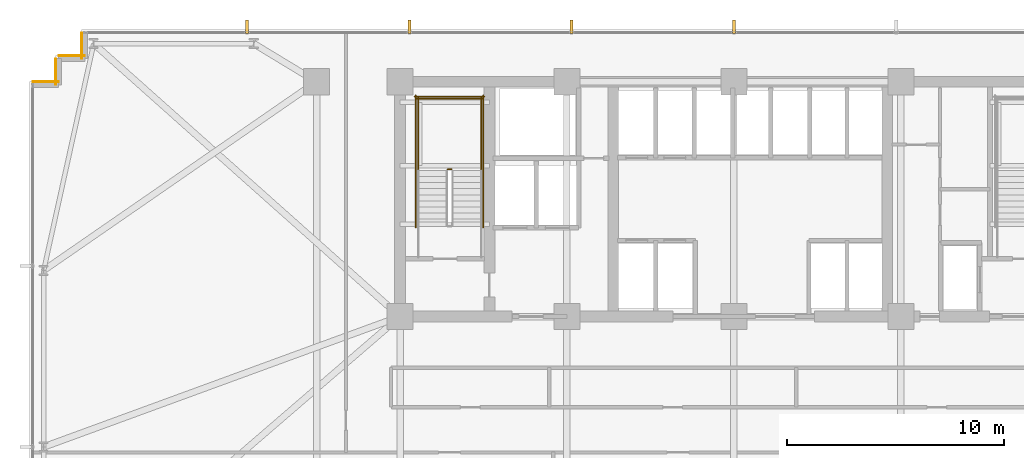
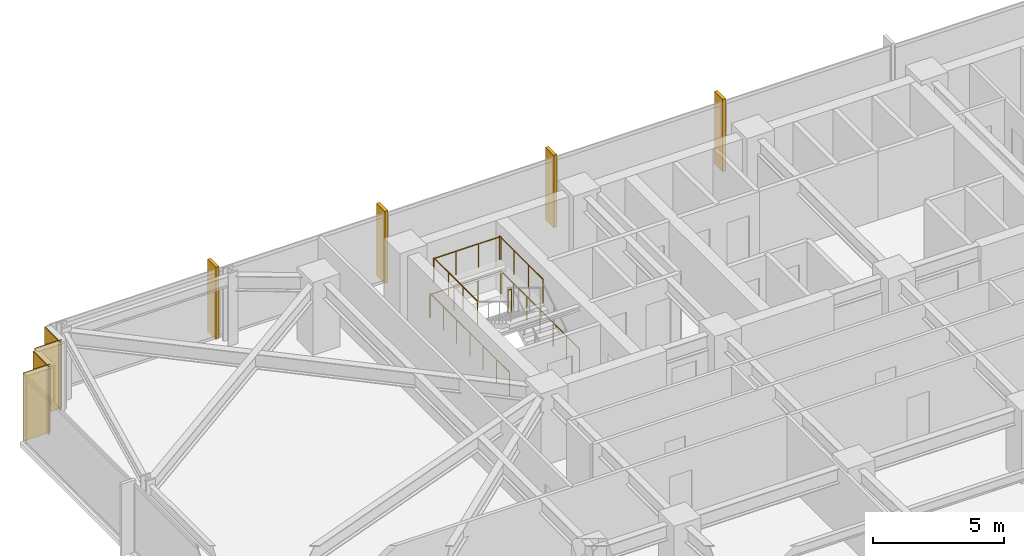
# One storey, part 30 of 32: 7 railings, 4 coverings, 4 shading devices.
"""IFC4 building model written with IfcOpenShell, lengths in metres."""

import ifcopenshell
import ifcopenshell.guid

model = None  # the IFC model being written
_history = None  # IfcOwnerHistory: only IFC2X3 demands one
_inside = {}  # id of a spatial element -> (the spatial element, [elements in it])
_under = {}  # id of a project, library or spatial element -> (it, [spatial elements below it])
_declared = {}  # id of a project -> (the project, [libraries it declares])
_typed = {}  # id of a type object -> (the type object, [elements of that type])
_made_of = {}  # id of a material, layer set ... -> (it, [elements and type objects made of it])


def new_model(schema):
    """Start an empty IFC model of exactly this schema.

    Asked for "IFC4X3", IfcOpenShell would pick the latest addendum, in which some entities
    have other attributes; the version numbers below select the first issue.
    IFC2X3 requires an IfcOwnerHistory on every rooted entity: one is made here for all.
    """
    global model, _history
    if schema == "IFC4X3":
        model = ifcopenshell.file(schema_version=(4, 3, 0, 0))
    else:
        model = ifcopenshell.file(schema=schema)
    _inside.clear()
    _under.clear()
    _declared.clear()
    _typed.clear()
    _made_of.clear()
    _history = None
    if model.schema == "IFC2X3":
        org = make("IfcOrganization", Name="unknown")
        user = make(
            "IfcPersonAndOrganization",
            ThePerson=make("IfcPerson", FamilyName="unknown"),
            TheOrganization=org,
        )
        app = make(
            "IfcApplication",
            ApplicationDeveloper=org,
            Version="unknown",
            ApplicationFullName="unknown",
            ApplicationIdentifier="unknown",
        )
        _history = make(
            "IfcOwnerHistory",
            OwningUser=user,
            OwningApplication=app,
            ChangeAction="ADDED",
            CreationDate=0,
        )
    return model


def make(cls, **values):
    """One entity of the class cls with the attributes given. An attribute that is None is left unset."""
    return model.create_entity(
        cls, **{name: value for name, value in values.items() if value is not None}
    )


def rooted(cls, **values):
    """An entity with a GlobalId (a new one), such as an element, a storey or a relation."""
    return make(cls, GlobalId=ifcopenshell.guid.new(), OwnerHistory=_history, **values)


def si_unit(unit_type, name, prefix=None):
    """IfcSIUnit, for example si_unit("LENGTHUNIT", "METRE", prefix="MILLI")."""
    return make("IfcSIUnit", UnitType=unit_type, Prefix=prefix, Name=name)


def assignment(units):
    """IfcUnitAssignment: the units of a project."""
    return None if units is None else make("IfcUnitAssignment", Units=units)


def point(xyz):
    """IfcCartesianPoint."""
    return None if xyz is None else make("IfcCartesianPoint", Coordinates=xyz)


def direction(xyz):
    """IfcDirection."""
    return None if xyz is None else make("IfcDirection", DirectionRatios=xyz)


def frame(location, z_axis=None, x_axis=None):
    """IfcAxis2Placement3D, a coordinate frame: its origin and axes. An axis left out is left unset."""
    return make(
        "IfcAxis2Placement3D",
        Location=point(location),
        Axis=direction(z_axis),
        RefDirection=direction(x_axis),
    )


def frame_2d(location, x_axis=None):
    """IfcAxis2Placement2D, a coordinate frame in the plane: its origin and x axis."""
    return make(
        "IfcAxis2Placement2D", Location=point(location), RefDirection=direction(x_axis)
    )


def origin():
    """The frame at (0, 0, 0) with its axes left unset."""
    return frame((0.0, 0.0, 0.0))


def origin_2d():
    """The frame at (0, 0) in the plane with its x axis left unset."""
    return frame_2d((0.0, 0.0))


def place(relative_to, where):
    """IfcLocalPlacement: puts the frame where relative to a parent placement (None: the world)."""
    return make(
        "IfcLocalPlacement", PlacementRelTo=relative_to, RelativePlacement=where
    )


def context(
    kind, dimensions, precision=None, world=None, true_north=None, identifier=None
):
    """IfcGeometricRepresentationContext, for example the 3D "Model" context."""
    return make(
        "IfcGeometricRepresentationContext",
        ContextIdentifier=identifier,
        ContextType=kind,
        CoordinateSpaceDimension=dimensions,
        Precision=precision,
        WorldCoordinateSystem=world,
        TrueNorth=true_north,
    )


def subcontext(parent, identifier, kind, view, scale=None):
    """IfcGeometricRepresentationSubContext, for example "Body" below "Model"."""
    return make(
        "IfcGeometricRepresentationSubContext",
        ContextIdentifier=identifier,
        ContextType=kind,
        ParentContext=parent,
        TargetScale=scale,
        TargetView=view,
    )


def project(units=None, contexts=None):
    """IfcProject with its units and contexts."""
    return rooted(
        "IfcProject",
        Name="project",
        RepresentationContexts=contexts,
        UnitsInContext=assignment(units),
    )


def spatial(cls, under=None, at=None, **own):
    """A site, building, storey or space (cls), placed at a placement, below another one or the project."""
    s = rooted(cls, ObjectPlacement=at, **own)
    if under is not None:
        _under.setdefault(under.id(), (under, []))[1].append(s)
    return s


def profile(cls, at=None, kind="AREA", **sizes):
    """A parametric profile (cls). Its sizes go by their IFC names, for example OverallWidth=200.0."""
    return make(cls, ProfileType=kind, Position=at, **sizes)


def rectangle(**sizes):
    """IfcRectangleProfileDef."""
    return profile("IfcRectangleProfileDef", **sizes)


def circle(**sizes):
    """IfcCircleProfileDef."""
    return profile("IfcCircleProfileDef", **sizes)


def extrude(swept, where, along, depth):
    """IfcExtrudedAreaSolid: the profile swept, set in the frame where, extruded along a direction by depth."""
    return make(
        "IfcExtrudedAreaSolid",
        SweptArea=swept,
        Position=where,
        ExtrudedDirection=direction(along),
        Depth=depth,
    )


def shape(context_of_items, identifier, shape_type, items):
    """IfcShapeRepresentation: the items that make up one representation, for example the "Body"."""
    return make(
        "IfcShapeRepresentation",
        ContextOfItems=context_of_items,
        RepresentationIdentifier=identifier,
        RepresentationType=shape_type,
        Items=items,
    )


def material(Name=None, Category=None):
    """IfcMaterial."""
    return make("IfcMaterial", Name=Name, Category=Category)


def layer(
    of_material, thickness, ventilated=None, Name=None, Category=None, Priority=None
):
    """IfcMaterialLayer: one layer of a wall or slab, of a material (None: an air gap)."""
    return make(
        "IfcMaterialLayer",
        Material=of_material,
        LayerThickness=thickness,
        IsVentilated=ventilated,
        Name=Name,
        Category=Category,
        Priority=Priority,
    )


def layer_set(layers, Name=None):
    """IfcMaterialLayerSet."""
    return make("IfcMaterialLayerSet", MaterialLayers=layers, LayerSetName=Name)


def made_of(thing, what):
    """Note that an element or type object is made of a material, layer set ...; save() writes the relation."""
    if what is not None:
        _made_of.setdefault(what.id(), (what, []))[1].append(thing)
    return thing


def type_object(cls, material=None, **own):
    """A type object (cls), such as IfcWallType, which elements share."""
    return made_of(rooted(cls, **own), material)


def element(
    cls,
    number,
    at=None,
    inside=None,
    cuts=None,
    type_object=None,
    material=None,
    context=None,
    identifier="Body",
    shape_type=None,
    held_by="IfcProductDefinitionShape",
    body=None,
    shapes=None,
    **own,
):
    """One element of the class cls, such as IfcWall. Its Tag is "e" and its number.

    at: its placement. inside: the storey or other place that contains it. cuts: it is an
    opening in that element (IfcRelVoidsElement). A single representation is given by context,
    identifier, shape_type and body (its items); several are given by shapes. held_by: the class
    of the entity that holds the representations. save() writes the other relations.
    """
    e = rooted(cls, Tag="e%d" % number, ObjectPlacement=at, **own)
    if body is not None:
        shapes = [shape(context, identifier, shape_type, body)]
    if shapes is not None:
        e.Representation = make(held_by, Representations=shapes)
    if inside is not None:
        _inside.setdefault(inside.id(), (inside, []))[1].append(e)
    if cuts is not None:
        rooted(
            "IfcRelVoidsElement", RelatingBuildingElement=cuts, RelatedOpeningElement=e
        )
    if type_object is not None:
        _typed.setdefault(type_object.id(), (type_object, []))[1].append(e)
    return made_of(e, material)


def aggregate(whole, parts):
    """IfcRelAggregates: a whole, such as a stair, and the parts it consists of."""
    return rooted("IfcRelAggregates", RelatingObject=whole, RelatedObjects=parts)


def save(model, path):
    """Write the relations noted so far, then the file.

    IfcRelAggregates (storeys below a building ...), IfcRelContainedInSpatialStructure (elements
    in a storey), IfcRelDefinesByType, IfcRelAssociatesMaterial and IfcRelDeclares: one each for
    every whole, place, type object, material and project.
    """
    for whole, parts in _under.values():
        aggregate(whole, parts)
    for where, things in _inside.values():
        rooted(
            "IfcRelContainedInSpatialStructure",
            RelatedElements=things,
            RelatingStructure=where,
        )
    for kind, things in _typed.values():
        rooted("IfcRelDefinesByType", RelatedObjects=things, RelatingType=kind)
    for what, things in _made_of.values():
        rooted("IfcRelAssociatesMaterial", RelatedObjects=things, RelatingMaterial=what)
    for by, libraries in _declared.values():
        rooted("IfcRelDeclares", RelatingContext=by, RelatedDefinitions=libraries)
    model.write(path)


model = new_model("IFC4")

# Units and contexts
model_context = context("Model", 3, precision=1e-05, world=origin(), true_north=direction((0.0, 1.0)))
body_context = subcontext(model_context, "Body", "Model", "MODEL_VIEW")
ifc_project = project(units=[si_unit("LENGTHUNIT", "METRE"), si_unit("AREAUNIT", "SQUARE_METRE"), si_unit("VOLUMEUNIT", "CUBIC_METRE"), si_unit("PLANEANGLEUNIT", "RADIAN"), si_unit("MASSUNIT", "GRAM", prefix="KILO")], contexts=[model_context])

# Site, building, storey
site_placement = place(None, origin())
site = spatial("IfcSite", under=ifc_project, at=site_placement, CompositionType="ELEMENT")
building_placement = place(site_placement, origin())
building = spatial("IfcBuilding", under=site, at=building_placement, Name="Yelkora Congress Tower", CompositionType="ELEMENT")
storey_placement = place(building_placement, frame((0.0, 0.0, 67.800048828125)))
storey = spatial("IfcBuildingStorey", under=building, at=storey_placement, Name="L17", CompositionType="ELEMENT", Elevation=67.800048828125)

# Coverings
ifc_material_1 = material(Name="Anatolian bush-hammered limestone", Category="masonry")
ifc_layer_1 = layer(ifc_material_1, 0.0400390625)
ifc_layer_set_1 = layer_set([ifc_layer_1], Name="Anatolian bush-hammered limestone")
covering_type = type_object("IfcCoveringType", Name="COV-CLAD-SPANDREL-40", PredefinedType="CLADDING", material=ifc_layer_set_1)
covering_placement = place(storey_placement, frame((6.139892578125, 46.195068359375, 0.0), z_axis=(0.0, 0.0, 1.0), x_axis=(1.0, 0.0, 0.0)))
element("IfcCovering", 1, at=covering_placement, inside=storey, type_object=covering_type, Name="L17 Anatolian Limestone Cladding EW-L17-SR06", PredefinedType="CLADDING", context=body_context, shape_type="SweptSolid", body=[
    extrude(rectangle(XDim=1.2001953125, YDim=0.0400390625, at=frame_2d((0.60009765625, 0.0))), origin(), (0.0, 0.0, 1.0), 3.179931640625),
])
for number, where, z_axis, x_axis, name in (
    (2, (7.205078125, 46.06005859375, 0.0), (0.0, 0.0, 1.0), (0.0, 1.0, 0.0), "L17 Anatolian Limestone Cladding EW-L17-SR07"),
    (3, (7.340087890625, 47.39501953125, 0.0), (0.0, 0.0, 1.0), (1.0, 0.0, 0.0), "L17 Anatolian Limestone Cladding EW-L17-SR08"),
    (4, (8.405029296875, 47.260009765625, 0.0), (0.0, 0.0, 1.0), (0.0, 1.0, 0.0), "L17 Anatolian Limestone Cladding EW-L17-SR09"),
):
    element("IfcCovering", number, at=place(storey_placement, frame(where, z_axis=z_axis, x_axis=x_axis)), inside=storey, type_object=covering_type, Name=name, PredefinedType="CLADDING", context=body_context, shape_type="SweptSolid", body=[
        extrude(rectangle(XDim=1.199951171875, YDim=0.0400390625, at=frame_2d((0.60009765625, 0.0))), origin(), (0.0, 0.0, 1.0), 3.179931640625),
    ])

# Railings
ifc_material_2 = material(Name="Painted galvanised steel stair well guard with vertical infill", Category="steel")
ifc_layer_2 = layer(ifc_material_2, 0.06005859375)
ifc_layer_set_2 = layer_set([ifc_layer_2], Name="Painted galvanised steel stair well guard with vertical infill")
railing_type = type_object("IfcRailingType", Name="RAIL-STAIR-GUARD-1120", PredefinedType="GUARDRAIL", material=ifc_layer_set_2)
railing_1_placement = place(storey_placement, frame((25.39990234375, 42.169921875, 1.699951171875)))
element("IfcRailing", 5, at=railing_1_placement, inside=storey, type_object=railing_type, Name="ST-01 L17 Stair Well Guardrail 2", PredefinedType="GUARDRAIL", context=body_context, shape_type="SweptSolid", body=[
    extrude(circle(Radius=0.02392578125, at=origin_2d()), frame((0.0, 0.0, 1.09619140625), z_axis=(-1.0, 0.0, 0.0), x_axis=(0.0, -1.0, 0.0)), (0.0, 0.0, 1.0), 0.159912109375),
    extrude(circle(Radius=0.02099609375, at=origin_2d()), origin(), (0.0, 0.0, 1.0), 1.072021484375),
    extrude(circle(Radius=0.02099609375, at=origin_2d()), frame((-0.159912109375, 0.0, 0.0)), (0.0, 0.0, 1.0), 1.072021484375),
])
for number, where, name in (
    (6, (26.77001953125, 42.1201171875, 1.699951171875), "ST-01 L17 Stair Well Guardrail 3"),
    (7, (23.8701171875, 42.1201171875, 1.699951171875), "ST-01 L17 Stair Well Guardrail 4"),
):
    element("IfcRailing", number, at=place(storey_placement, frame(where)), inside=storey, type_object=railing_type, Name=name, PredefinedType="GUARDRAIL", context=body_context, shape_type="SweptSolid", body=[
        extrude(circle(Radius=0.02392578125, at=origin_2d()), frame((0.0, 0.0, 1.09619140625), z_axis=(0.0, 1.0, 0.0), x_axis=(-1.0, 0.0, 0.0)), (0.0, 0.0, 1.0), 3.349853515625),
        extrude(circle(Radius=0.02099609375, at=origin_2d()), origin(), (0.0, 0.0, 1.0), 1.072021484375),
        extrude(circle(Radius=0.02099609375, at=origin_2d()), frame((0.0, 1.11669921875, 0.0)), (0.0, 0.0, 1.0), 1.072021484375),
        extrude(circle(Radius=0.02099609375, at=origin_2d()), frame((0.0, 2.233154296875, 0.0)), (0.0, 0.0, 1.0), 1.072021484375),
        extrude(circle(Radius=0.02099609375, at=origin_2d()), frame((0.0, 3.349853515625, 0.0)), (0.0, 0.0, 1.0), 1.072021484375),
    ])
railing_2_placement = place(storey_placement, frame((26.820068359375, 45.419921875, 1.699951171875)))
element("IfcRailing", 8, at=railing_2_placement, inside=storey, type_object=railing_type, Name="ST-01 L17 Stair Well Guardrail 5", PredefinedType="GUARDRAIL", context=body_context, shape_type="SweptSolid", body=[
    extrude(circle(Radius=0.02392578125, at=origin_2d()), frame((0.0, 0.0, 1.09619140625), z_axis=(-1.0, 0.0, 0.0), x_axis=(0.0, -1.0, 0.0)), (0.0, 0.0, 1.0), 3.0),
    extrude(circle(Radius=0.02099609375, at=origin_2d()), origin(), (0.0, 0.0, 1.0), 1.072021484375),
    extrude(circle(Radius=0.02099609375, at=origin_2d()), frame((-1.0, 0.0, 0.0)), (0.0, 0.0, 1.0), 1.072021484375),
    extrude(circle(Radius=0.02099609375, at=origin_2d()), frame((-2.0, 0.0, 0.0)), (0.0, 0.0, 1.0), 1.072021484375),
    extrude(circle(Radius=0.02099609375, at=origin_2d()), frame((-3.0, 0.0, 0.0)), (0.0, 0.0, 1.0), 1.072021484375),
])
for number, where, name in (
    (9, (26.8701171875, 39.5, 0.0), "ST-01 L17 Stair Well Guardrail 10"),
    (10, (23.77001953125, 39.5, 0.0), "ST-01 L17 Stair Well Guardrail 11"),
):
    element("IfcRailing", number, at=place(storey_placement, frame(where)), inside=storey, type_object=railing_type, Name=name, PredefinedType="GUARDRAIL", context=body_context, shape_type="SweptSolid", body=[
        extrude(circle(Radius=0.02392578125, at=origin_2d()), frame((0.0, 0.0, 1.09619140625), z_axis=(0.0, 1.0, 0.0), x_axis=(-1.0, 0.0, 0.0)), (0.0, 0.0, 1.0), 6.070068359375),
        extrude(circle(Radius=0.02099609375, at=origin_2d()), origin(), (0.0, 0.0, 1.0), 1.072021484375),
        extrude(circle(Radius=0.02099609375, at=origin_2d()), frame((0.0, 1.01171875, 0.0)), (0.0, 0.0, 1.0), 1.072021484375),
        extrude(circle(Radius=0.02099609375, at=origin_2d()), frame((0.0, 2.0234375, 0.0)), (0.0, 0.0, 1.0), 1.072021484375),
        extrude(circle(Radius=0.02099609375, at=origin_2d()), frame((0.0, 3.03515625, 0.0)), (0.0, 0.0, 1.0), 1.072021484375),
        extrude(circle(Radius=0.02099609375, at=origin_2d()), frame((0.0, 4.046630859375, 0.0)), (0.0, 0.0, 1.0), 1.072021484375),
        extrude(circle(Radius=0.02099609375, at=origin_2d()), frame((0.0, 5.058349609375, 0.0)), (0.0, 0.0, 1.0), 1.072021484375),
        extrude(circle(Radius=0.02099609375, at=origin_2d()), frame((0.0, 6.070068359375, 0.0)), (0.0, 0.0, 1.0), 1.072021484375),
    ])
railing_3_placement = place(storey_placement, frame((26.919921875, 45.52001953125, 0.0)))
element("IfcRailing", 11, at=railing_3_placement, inside=storey, type_object=railing_type, Name="ST-01 L17 Stair Well Guardrail 12", PredefinedType="GUARDRAIL", context=body_context, shape_type="SweptSolid", body=[
    extrude(circle(Radius=0.02392578125, at=origin_2d()), frame((0.0, 0.0, 1.09619140625), z_axis=(-1.0, 0.0, 0.0), x_axis=(0.0, -1.0, 0.0)), (0.0, 0.0, 1.0), 3.199951171875),
    extrude(circle(Radius=0.02099609375, at=origin_2d()), origin(), (0.0, 0.0, 1.0), 1.072021484375),
    extrude(circle(Radius=0.02099609375, at=origin_2d()), frame((-1.066650390625, 0.0, 0.0)), (0.0, 0.0, 1.0), 1.072021484375),
    extrude(circle(Radius=0.02099609375, at=origin_2d()), frame((-2.13330078125, 0.0, 0.0)), (0.0, 0.0, 1.0), 1.072021484375),
    extrude(circle(Radius=0.02099609375, at=origin_2d()), frame((-3.199951171875, 0.0, 0.0)), (0.0, 0.0, 1.0), 1.072021484375),
])

# Shading devices
ifc_material_3 = material(Name="Champagne anodised aluminium", Category="aluminium")
ifc_layer_3 = layer(ifc_material_3, 3.39990234375)
ifc_layer_set_3 = layer_set([ifc_layer_3], Name="Champagne anodised aluminium")
shading_device_type = type_object("IfcShadingDeviceType", Name="SHD-FIN-ALU-640", PredefinedType="USERDEFINED", material=ifc_layer_set_3)
for number, where, z_axis, x_axis, name in (
    (12, (16.0048828125, 48.719970703125, -0.030029296875), (0.0, 0.0, 1.0), (1.0, 0.0, 0.0), "L17 Vertical Anodised Solar Fin 10-1"),
    (13, (23.469970703125, 48.719970703125, -0.030029296875), (0.0, 0.0, 1.0), (1.0, 0.0, 0.0), "L17 Vertical Anodised Solar Fin 10-2"),
    (14, (30.93505859375, 48.719970703125, -0.030029296875), (0.0, 0.0, 1.0), (1.0, 0.0, 0.0), "L17 Vertical Anodised Solar Fin 10-3"),
    (15, (38.39990234375, 48.719970703125, -0.030029296875), (0.0, 0.0, 1.0), (1.0, 0.0, 0.0), "L17 Vertical Anodised Solar Fin 10-4"),
):
    element("IfcShadingDevice", number, at=place(storey_placement, frame(where, z_axis=z_axis, x_axis=x_axis)), inside=storey, type_object=shading_device_type, Name=name, ObjectType="FIN", PredefinedType="USERDEFINED", context=body_context, shape_type="SweptSolid", body=[
        extrude(rectangle(XDim=0.139892578125, YDim=0.639892578125, at=origin_2d()), origin(), (0.0, 0.0, 1.0), 3.3798828125),
    ])

save(model, "model.ifc")
